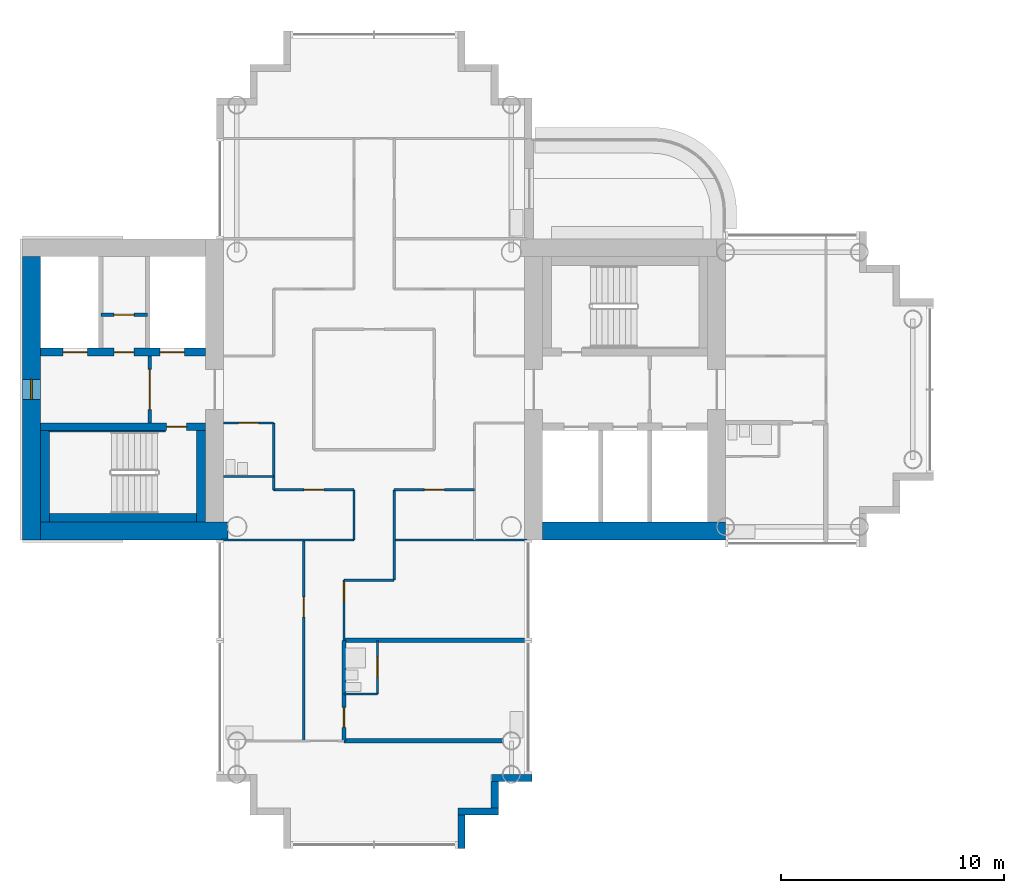
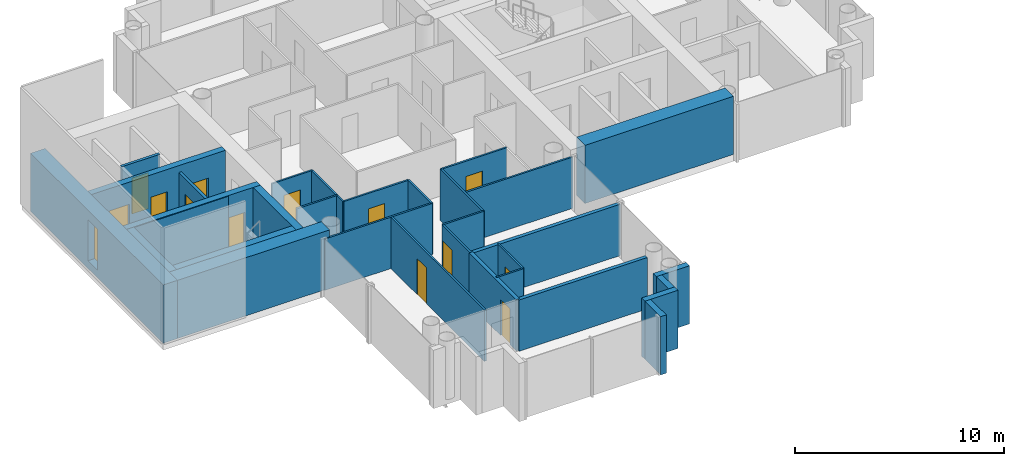
# One storey, part 7 of 19: 32 walls, 13 doors, 1 window, 14 openings.
"""IFC4 building model written with IfcOpenShell, lengths in metres."""

from ifc_helpers import new_model, si_unit, direction, frame, frame_2d, origin, place, context, subcontext, project, spatial, rectangle, extrude, material, layer, layer_set, type_object, element, fill, save


model = new_model("IFC4")

# Units and contexts
model_context = context("Model", 3, precision=1e-05, world=origin(), true_north=direction((0.0, 1.0)))
body_context = subcontext(model_context, "Body", "Model", "MODEL_VIEW")
ifc_project = project(units=[si_unit("LENGTHUNIT", "METRE"), si_unit("AREAUNIT", "SQUARE_METRE"), si_unit("VOLUMEUNIT", "CUBIC_METRE"), si_unit("PLANEANGLEUNIT", "RADIAN"), si_unit("MASSUNIT", "GRAM", prefix="KILO")], contexts=[model_context])

# Site, building, storey
site_placement = place(None, origin())
site = spatial("IfcSite", under=ifc_project, at=site_placement, CompositionType="ELEMENT")
building_placement = place(site_placement, origin())
building = spatial("IfcBuilding", under=site, at=building_placement, Name="Ipe Terrace Towers", CompositionType="ELEMENT")
storey_placement = place(building_placement, frame((0.0, 0.0, 147.300048828125)))
storey = spatial("IfcBuildingStorey", under=building, at=storey_placement, Name="L40", CompositionType="ELEMENT", Elevation=147.300048828125)

# Walls
ifc_material_1 = material(Name="Concrete C40/50 with buff precast cladding", Category="concrete")
ifc_layer_1 = layer(ifc_material_1, 0.320068359375)
ifc_layer_set_1 = layer_set([ifc_layer_1], Name="BUFF CLADDING WALL 320")
wall_type_1 = type_object("IfcWallType", Name="BUFF CLADDING WALL 320", PredefinedType="STANDARD", material=ifc_layer_set_1)
wall_1_placement = place(storey_placement, frame((-32.090087890625, -20.570068359375, -0.300048828125), z_axis=(0.0, 0.0, 1.0), x_axis=(0.0, 1.0, 0.0)))
element("IfcWall", 1, at=wall_1_placement, inside=storey, type_object=wall_type_1, Name="T1-W-L40-09a wall", PredefinedType="STANDARD", context=body_context, shape_type="SweptSolid", body=[
    extrude(rectangle(XDim=1.5, YDim=0.320068359375, at=frame_2d((0.75, 0.0))), origin(), (0.0, 0.0, 1.0), 3.39990234375),
])
wall_2_placement = place(storey_placement, frame((-32.25, -18.909912109375, -0.300048828125), z_axis=(0.0, 0.0, 1.0), x_axis=(1.0, 0.0, 0.0)))
element("IfcWall", 2, at=wall_2_placement, inside=storey, type_object=wall_type_1, Name="T1-W-L40-10a wall", PredefinedType="STANDARD", context=body_context, shape_type="SweptSolid", body=[
    extrude(rectangle(XDim=1.820068359375, YDim=0.320068359375, at=frame_2d((0.91015625, 0.0))), origin(), (0.0, 0.0, 1.0), 3.39990234375),
])
wall_3_placement = place(storey_placement, frame((-30.590087890625, -18.75, -0.300048828125), z_axis=(0.0, 0.0, 1.0), x_axis=(0.0, 1.0, 0.0)))
element("IfcWall", 3, at=wall_3_placement, inside=storey, type_object=wall_type_1, Name="T1-W-L40-11a wall", PredefinedType="STANDARD", context=body_context, shape_type="SweptSolid", body=[
    extrude(rectangle(XDim=1.179931640625, YDim=0.320068359375, at=frame_2d((0.58984375, 0.0))), origin(), (0.0, 0.0, 1.0), 3.39990234375),
])
wall_4_placement = place(storey_placement, frame((-30.75, -17.409912109375, -0.300048828125), z_axis=(0.0, 0.0, 1.0), x_axis=(1.0, 0.0, 0.0)))
element("IfcWall", 4, at=wall_4_placement, inside=storey, type_object=wall_type_1, Name="T1-W-L40-12a wall", PredefinedType="STANDARD", context=body_context, shape_type="SweptSolid", body=[
    extrude(rectangle(XDim=1.820068359375, YDim=0.320068359375, at=frame_2d((0.91015625, 0.0))), origin(), (0.0, 0.0, 1.0), 3.39990234375),
])
ifc_material_2 = material(Name="Gypsum board partition", Category="plasterboard")
ifc_layer_2 = layer(ifc_material_2, 0.10009765625)
ifc_layer_set_2 = layer_set([ifc_layer_2], Name="Gypsum board partition 100 mm")
wall_type_2 = type_object("IfcWallType", Name="Gypsum board partition 100 mm", PredefinedType="PARTITIONING", material=ifc_layer_set_2)
wall_5_placement = place(storey_placement, frame((-40.5, -4.5, 0.0), z_axis=(0.0, 0.0, 1.0), x_axis=(0.0, 1.0, 0.0)))
element("IfcWall", 5, at=wall_5_placement, inside=storey, type_object=wall_type_2, Name="Gypsum board partition T1 L40 W01", PredefinedType="PARTITIONING", context=body_context, shape_type="SweptSolid", body=[
    extrude(rectangle(XDim=3.0, YDim=0.10009765625, at=frame_2d((1.5, 0.0))), origin(), (0.0, 0.0, 1.0), 3.0),
])

# Wall, opening, door
wall_6_placement = place(storey_placement, frame((-39.14990234375, -15.75, 0.0), z_axis=(0.0, 0.0, 1.0), x_axis=(0.0, 1.0, 0.0)))
wall_6 = element("IfcWall", 6, at=wall_6_placement, inside=storey, type_object=wall_type_2, Name="Gypsum board partition T1 L40 W03", PredefinedType="PARTITIONING", context=body_context, shape_type="SweptSolid", body=[
    extrude(rectangle(XDim=9.0, YDim=0.10009765625, at=frame_2d((4.5, 0.0))), origin(), (0.0, 0.0, 1.0), 3.0),
])
opening_1_placement = place(wall_6_placement, frame((5.550048828125, 0.0, 0.0)))
opening_1 = element("IfcOpeningElement", 7, at=opening_1_placement, cuts=wall_6, Name="Opening T1-Z3B-16", PredefinedType="OPENING", context=body_context, shape_type="SweptSolid", body=[
    extrude(rectangle(XDim=0.89990234375, YDim=2.10009765625, at=frame_2d((0.449951171875, 1.050048828125))), frame((0.0, 0.06005859375, 0.0), z_axis=(0.0, -1.0, 0.0), x_axis=(1.0, 0.0, 0.0)), (0.0, 0.0, 1.0), 0.1201171875),
])
ifc_material_3 = material(Name="Timber door leaf", Category="wood")
door_type_1 = type_object("IfcDoorType", Name="Lounge door 900 x 2100", OperationType="NOTDEFINED", PredefinedType="DOOR", material=ifc_material_3)
door_1_placement = place(opening_1_placement, origin())
door_1 = element("IfcDoor", 8, at=door_1_placement, inside=storey, type_object=door_type_1, Name="Lounge door T1-Z3B-16", OperationType="SINGLE_SWING_LEFT", OverallHeight=2.10009765625, OverallWidth=0.89990234375, PredefinedType="DOOR", context=body_context, shape_type="SweptSolid", body=[
    extrude(rectangle(XDim=0.89990234375, YDim=2.10009765625, at=frame_2d((0.449951171875, 1.050048828125))), frame((0.0, 0.02490234375, 0.0), z_axis=(0.0, -1.0, 0.0), x_axis=(1.0, 0.0, 0.0)), (0.0, 0.0, 1.0), 0.050048828125),
])
fill(opening_1, door_1)

wall_7_placement = place(storey_placement, frame((-37.35009765625, -11.25, 0.0), z_axis=(0.0, 0.0, 1.0), x_axis=(0.0, 1.0, 0.0)))
wall_7 = element("IfcWall", 9, at=wall_7_placement, inside=storey, type_object=wall_type_2, Name="Gypsum board partition T1 L40 W05", PredefinedType="PARTITIONING", context=body_context, shape_type="SweptSolid", body=[
    extrude(rectangle(XDim=2.699951171875, YDim=0.10009765625, at=frame_2d((1.35009765625, 0.0))), origin(), (0.0, 0.0, 1.0), 3.0),
])
opening_2_placement = place(wall_7_placement, frame((1.72998046875, 0.0, 0.0)))
opening_2 = element("IfcOpeningElement", 10, at=opening_2_placement, cuts=wall_7, Name="Opening T1-Z3B-13", PredefinedType="OPENING", context=body_context, shape_type="SweptSolid", body=[
    extrude(rectangle(XDim=0.89990234375, YDim=2.10009765625, at=frame_2d((0.449951171875, 1.050048828125))), frame((0.0, 0.06005859375, 0.0), z_axis=(0.0, -1.0, 0.0), x_axis=(1.0, 0.0, 0.0)), (0.0, 0.0, 1.0), 0.1201171875),
])
door_2_placement = place(opening_2_placement, origin())
door_2 = element("IfcDoor", 11, at=door_2_placement, inside=storey, type_object=door_type_1, Name="Lounge door T1-Z3B-13", OperationType="SINGLE_SWING_RIGHT", OverallHeight=2.10009765625, OverallWidth=0.89990234375, PredefinedType="DOOR", context=body_context, shape_type="SweptSolid", body=[
    extrude(rectangle(XDim=0.89990234375, YDim=2.10009765625, at=frame_2d((0.449951171875, 1.050048828125))), frame((0.0, 0.02490234375, 0.0), z_axis=(0.0, -1.0, 0.0), x_axis=(1.0, 0.0, 0.0)), (0.0, 0.0, 1.0), 0.050048828125),
])
fill(opening_2, door_2)

# Wall
wall_8_placement = place(storey_placement, frame((-36.89990234375, -6.75, 0.0), z_axis=(0.0, 0.0, 1.0), x_axis=(0.0, 1.0, 0.0)))
element("IfcWall", 12, at=wall_8_placement, inside=storey, type_object=wall_type_2, Name="Gypsum board partition T1 L40 W07", PredefinedType="PARTITIONING", context=body_context, shape_type="SweptSolid", body=[
    extrude(rectangle(XDim=2.25, YDim=0.10009765625, at=frame_2d((1.125, 0.0))), origin(), (0.0, 0.0, 1.0), 3.0),
])

# Wall, opening, door
wall_9_placement = place(storey_placement, frame((-35.85009765625, -13.64990234375, 0.0), z_axis=(0.0, 0.0, 1.0), x_axis=(0.0, 1.0, 0.0)))
wall_9 = element("IfcWall", 13, at=wall_9_placement, inside=storey, type_object=wall_type_2, Name="Gypsum board partition T1 L40 W09", PredefinedType="PARTITIONING", context=body_context, shape_type="SweptSolid", body=[
    extrude(rectangle(XDim=2.39990234375, YDim=0.10009765625, at=frame_2d((1.199951171875, 0.0))), origin(), (0.0, 0.0, 1.0), 3.0),
])
opening_3_placement = place(wall_9_placement, frame((0.75, 0.0, 0.0)))
opening_3 = element("IfcOpeningElement", 14, at=opening_3_placement, cuts=wall_9, Name="Opening T1-Z3B-15", PredefinedType="OPENING", context=body_context, shape_type="SweptSolid", body=[
    extrude(rectangle(XDim=0.89990234375, YDim=2.10009765625, at=frame_2d((0.449951171875, 1.050048828125))), frame((0.0, 0.06005859375, 0.0), z_axis=(0.0, -1.0, 0.0), x_axis=(1.0, 0.0, 0.0)), (0.0, 0.0, 1.0), 0.1201171875),
])
ifc_material_4 = material(Name="Timber door leaf", Category="wood")
door_type_2 = type_object("IfcDoorType", Name="Bathroom door 900 x 2100", OperationType="NOTDEFINED", PredefinedType="DOOR", material=ifc_material_4)
door_3_placement = place(opening_3_placement, origin())
door_3 = element("IfcDoor", 15, at=door_3_placement, inside=storey, type_object=door_type_2, Name="Bathroom door T1-Z3B-15", OperationType="SINGLE_SWING_LEFT", OverallHeight=2.10009765625, OverallWidth=0.89990234375, PredefinedType="DOOR", context=body_context, shape_type="SweptSolid", body=[
    extrude(rectangle(XDim=0.89990234375, YDim=2.10009765625, at=frame_2d((0.449951171875, 1.050048828125))), frame((0.0, 0.02490234375, 0.0), z_axis=(0.0, -1.0, 0.0), x_axis=(1.0, 0.0, 0.0)), (0.0, 0.0, 1.0), 0.050048828125),
])
fill(opening_3, door_3)

# Walls
wall_10_placement = place(storey_placement, frame((-35.10009765625, -8.550048828125, 0.0), z_axis=(0.0, 0.0, 1.0), x_axis=(0.0, 1.0, 0.0)))
element("IfcWall", 16, at=wall_10_placement, inside=storey, type_object=wall_type_2, Name="Gypsum board partition T1 L40 W10", PredefinedType="PARTITIONING", context=body_context, shape_type="SweptSolid", body=[
    extrude(rectangle(XDim=4.050048828125, YDim=0.10009765625, at=frame_2d((2.02490234375, 0.0))), origin(), (0.0, 0.0, 1.0), 3.0),
])
wall_11_placement = place(storey_placement, frame((-37.35009765625, -13.64990234375, 0.0), z_axis=(0.0, 0.0, 1.0), x_axis=(1.0, 0.0, 0.0)))
element("IfcWall", 17, at=wall_11_placement, inside=storey, type_object=wall_type_2, Name="Gypsum board partition T1 L40 W20", PredefinedType="PARTITIONING", context=body_context, shape_type="SweptSolid", body=[
    extrude(rectangle(XDim=1.5, YDim=0.10009765625, at=frame_2d((0.75, 0.0))), origin(), (0.0, 0.0, 1.0), 3.0),
])
wall_12_placement = place(storey_placement, frame((-37.35009765625, -8.550048828125, 0.0), z_axis=(0.0, 0.0, 1.0), x_axis=(1.0, 0.0, 0.0)))
element("IfcWall", 18, at=wall_12_placement, inside=storey, type_object=wall_type_2, Name="Gypsum board partition T1 L40 W22", PredefinedType="PARTITIONING", context=body_context, shape_type="SweptSolid", body=[
    extrude(rectangle(XDim=2.25, YDim=0.10009765625, at=frame_2d((1.125, 0.0))), origin(), (0.0, 0.0, 1.0), 3.0),
])
for number, where, z_axis, x_axis, name in (
    (19, (-42.85009765625, -6.75, 0.0), (0.0, 0.0, 1.0), (1.0, 0.0, 0.0), "Gypsum board partition T1 L40 W23"),
    (20, (-35.10009765625, -6.75, 0.0), (0.0, 0.0, 1.0), (1.0, 0.0, 0.0), "Gypsum board partition T1 L40 W24"),
):
    element("IfcWall", number, at=place(storey_placement, frame(where, z_axis=z_axis, x_axis=x_axis)), inside=storey, type_object=wall_type_2, Name=name, PredefinedType="PARTITIONING", context=body_context, shape_type="SweptSolid", body=[
        extrude(rectangle(XDim=5.9501953125, YDim=0.10009765625, at=frame_2d((2.97509765625, 0.0))), origin(), (0.0, 0.0, 1.0), 3.0),
    ])

# Wall, opening, door
wall_13_placement = place(storey_placement, frame((-40.5, -4.5, 0.0), z_axis=(0.0, 0.0, 1.0), x_axis=(1.0, 0.0, 0.0)))
wall_13 = element("IfcWall", 21, at=wall_13_placement, inside=storey, type_object=wall_type_2, Name="Gypsum board partition T1 L40 W25", PredefinedType="PARTITIONING", context=body_context, shape_type="SweptSolid", body=[
    extrude(rectangle(XDim=3.60009765625, YDim=0.10009765625, at=frame_2d((1.800048828125, 0.0))), origin(), (0.0, 0.0, 1.0), 3.0),
])
opening_4_placement = place(wall_13_placement, frame((1.35009765625, 0.0, 0.0)))
opening_4 = element("IfcOpeningElement", 22, at=opening_4_placement, cuts=wall_13, Name="Opening T1-Z3B-07", PredefinedType="OPENING", context=body_context, shape_type="SweptSolid", body=[
    extrude(rectangle(XDim=0.89990234375, YDim=2.10009765625, at=frame_2d((0.449951171875, 1.050048828125))), frame((0.0, 0.06005859375, 0.0), z_axis=(0.0, -1.0, 0.0), x_axis=(1.0, 0.0, 0.0)), (0.0, 0.0, 1.0), 0.1201171875),
])
door_4_placement = place(opening_4_placement, origin())
door_4 = element("IfcDoor", 23, at=door_4_placement, inside=storey, type_object=door_type_1, Name="Lounge door T1-Z3B-07", OperationType="SINGLE_SWING_LEFT", OverallHeight=2.10009765625, OverallWidth=0.89990234375, PredefinedType="DOOR", context=body_context, shape_type="SweptSolid", body=[
    extrude(rectangle(XDim=0.89990234375, YDim=2.10009765625, at=frame_2d((0.449951171875, 1.050048828125))), frame((0.0, 0.02490234375, 0.0), z_axis=(0.0, -1.0, 0.0), x_axis=(1.0, 0.0, 0.0)), (0.0, 0.0, 1.0), 0.050048828125),
])
fill(opening_4, door_4)

wall_14_placement = place(storey_placement, frame((-35.10009765625, -4.5, 0.0), z_axis=(0.0, 0.0, 1.0), x_axis=(1.0, 0.0, 0.0)))
wall_14 = element("IfcWall", 24, at=wall_14_placement, inside=storey, type_object=wall_type_2, Name="Gypsum board partition T1 L40 W26", PredefinedType="PARTITIONING", context=body_context, shape_type="SweptSolid", body=[
    extrude(rectangle(XDim=3.60009765625, YDim=0.10009765625, at=frame_2d((1.800048828125, 0.0))), origin(), (0.0, 0.0, 1.0), 3.0),
])
opening_5_placement = place(wall_14_placement, frame((1.35009765625, 0.0, 0.0)))
opening_5 = element("IfcOpeningElement", 25, at=opening_5_placement, cuts=wall_14, Name="Opening T1-Z3B-08", PredefinedType="OPENING", context=body_context, shape_type="SweptSolid", body=[
    extrude(rectangle(XDim=0.89990234375, YDim=2.10009765625, at=frame_2d((0.449951171875, 1.050048828125))), frame((0.0, 0.06005859375, 0.0), z_axis=(0.0, -1.0, 0.0), x_axis=(1.0, 0.0, 0.0)), (0.0, 0.0, 1.0), 0.1201171875),
])
door_5_placement = place(opening_5_placement, origin())
door_5 = element("IfcDoor", 26, at=door_5_placement, inside=storey, type_object=door_type_1, Name="Lounge door T1-Z3B-08", OperationType="SINGLE_SWING_RIGHT", OverallHeight=2.10009765625, OverallWidth=0.89990234375, PredefinedType="DOOR", context=body_context, shape_type="SweptSolid", body=[
    extrude(rectangle(XDim=0.89990234375, YDim=2.10009765625, at=frame_2d((0.449951171875, 1.050048828125))), frame((0.0, 0.02490234375, 0.0), z_axis=(0.0, -1.0, 0.0), x_axis=(1.0, 0.0, 0.0)), (0.0, 0.0, 1.0), 0.050048828125),
])
fill(opening_5, door_5)

# Wall
wall_15_placement = place(storey_placement, frame((-42.75, -3.89990234375, 0.0), z_axis=(0.0, 0.0, 1.0), x_axis=(1.0, 0.0, 0.0)))
element("IfcWall", 27, at=wall_15_placement, inside=storey, type_object=wall_type_2, Name="Gypsum board partition T1 L40 W27", PredefinedType="PARTITIONING", context=body_context, shape_type="SweptSolid", body=[
    extrude(rectangle(XDim=2.25, YDim=0.10009765625, at=frame_2d((1.125, 0.0))), origin(), (0.0, 0.0, 1.0), 3.0),
])

# Wall, opening, door
wall_16_placement = place(storey_placement, frame((-42.75, -1.5, 0.0), z_axis=(0.0, 0.0, 1.0), x_axis=(1.0, 0.0, 0.0)))
wall_16 = element("IfcWall", 28, at=wall_16_placement, inside=storey, type_object=wall_type_2, Name="Gypsum board partition T1 L40 W30", PredefinedType="PARTITIONING", context=body_context, shape_type="SweptSolid", body=[
    extrude(rectangle(XDim=2.25, YDim=0.10009765625, at=frame_2d((1.125, 0.0))), origin(), (0.0, 0.0, 1.0), 3.0),
])
opening_6_placement = place(wall_16_placement, frame((0.675048828125, 0.0, 0.0)))
opening_6 = element("IfcOpeningElement", 29, at=opening_6_placement, cuts=wall_16, Name="Opening T1-Z3B-03", PredefinedType="OPENING", context=body_context, shape_type="SweptSolid", body=[
    extrude(rectangle(XDim=0.89990234375, YDim=2.10009765625, at=frame_2d((0.449951171875, 1.050048828125))), frame((0.0, 0.06005859375, 0.0), z_axis=(0.0, -1.0, 0.0), x_axis=(1.0, 0.0, 0.0)), (0.0, 0.0, 1.0), 0.1201171875),
])
door_6_placement = place(opening_6_placement, origin())
door_6 = element("IfcDoor", 30, at=door_6_placement, inside=storey, type_object=door_type_2, Name="Bathroom door T1-Z3B-03", OperationType="SINGLE_SWING_RIGHT", OverallHeight=2.10009765625, OverallWidth=0.89990234375, PredefinedType="DOOR", context=body_context, shape_type="SweptSolid", body=[
    extrude(rectangle(XDim=0.89990234375, YDim=2.10009765625, at=frame_2d((0.449951171875, 1.050048828125))), frame((0.0, 0.02490234375, 0.0), z_axis=(0.0, -1.0, 0.0), x_axis=(1.0, 0.0, 0.0)), (0.0, 0.0, 1.0), 0.050048828125),
])
fill(opening_6, door_6)

ifc_material_5 = material(Name="Gypsum board partition", Category="plasterboard")
ifc_layer_3 = layer(ifc_material_5, 0.14990234375)
ifc_layer_set_3 = layer_set([ifc_layer_3], Name="Gypsum board partition 150 mm")
wall_type_3 = type_object("IfcWallType", Name="Gypsum board partition 150 mm", PredefinedType="PARTITIONING", material=ifc_layer_set_3)
wall_17_placement = place(storey_placement, frame((-46.050048828125, 1.5, 0.0), z_axis=(0.0, 0.0, 1.0), x_axis=(0.0, -1.0, 0.0)))
wall_17 = element("IfcWall", 31, at=wall_17_placement, inside=storey, type_object=wall_type_3, Name="Gypsum board partition T1 L40 t1c2-lobby-wall", PredefinedType="PARTITIONING", context=body_context, shape_type="SweptSolid", body=[
    extrude(rectangle(XDim=3.0, YDim=0.14990234375, at=frame_2d((1.5, 0.0))), origin(), (0.0, 0.0, 1.0), 3.0),
])
opening_7_placement = place(wall_17_placement, frame((0.60009765625, 0.0, 0.0)))
opening_7 = element("IfcOpeningElement", 32, at=opening_7_placement, cuts=wall_17, Name="Opening T1C2-VD", PredefinedType="OPENING", context=body_context, shape_type="SweptSolid", body=[
    extrude(rectangle(XDim=1.800048828125, YDim=2.10009765625, at=frame_2d((0.89990234375, 1.050048828125))), frame((0.0, 0.0849609375, 0.0), z_axis=(0.0, -1.0, 0.0), x_axis=(1.0, 0.0, 0.0)), (0.0, 0.0, 1.0), 0.169921875),
])
ifc_material_6 = material(Name="Fire-rated timber door leaf", Category="wood")
door_type_3 = type_object("IfcDoorType", Name="Lobby door 1800 x 2100 FD60", OperationType="NOTDEFINED", PredefinedType="DOOR", material=ifc_material_6)
door_7_placement = place(opening_7_placement, origin())
door_7 = element("IfcDoor", 33, at=door_7_placement, inside=storey, type_object=door_type_3, Name="Lobby door T1C2-VD", OperationType="SINGLE_SWING_LEFT", OverallHeight=2.10009765625, OverallWidth=1.800048828125, PredefinedType="DOOR", context=body_context, shape_type="SweptSolid", body=[
    extrude(rectangle(XDim=1.800048828125, YDim=2.10009765625, at=frame_2d((0.89990234375, 1.050048828125))), frame((0.0, 0.02490234375, 0.0), z_axis=(0.0, -1.0, 0.0), x_axis=(1.0, 0.0, 0.0)), (0.0, 0.0, 1.0), 0.050048828125),
])
fill(opening_7, door_7)

wall_18_placement = place(storey_placement, frame((-46.14990234375, 3.35009765625, 0.0), z_axis=(0.0, 0.0, 1.0), x_axis=(-1.0, 0.0, 0.0)))
wall_18 = element("IfcWall", 34, at=wall_18_placement, inside=storey, type_object=wall_type_3, Name="Gypsum board partition T1 L40 t1c2-q-back", PredefinedType="PARTITIONING", context=body_context, shape_type="SweptSolid", body=[
    extrude(rectangle(XDim=2.10009765625, YDim=0.14990234375, at=frame_2d((1.050048828125, 0.0))), origin(), (0.0, 0.0, 1.0), 3.0),
])
opening_8_placement = place(wall_18_placement, frame((0.60009765625, 0.0, 0.0)))
opening_8 = element("IfcOpeningElement", 35, at=opening_8_placement, cuts=wall_18, Name="Opening T1C2-RB-FD30S", PredefinedType="OPENING", context=body_context, shape_type="SweptSolid", body=[
    extrude(rectangle(XDim=0.89990234375, YDim=2.10009765625, at=frame_2d((0.449951171875, 1.050048828125))), frame((0.0, 0.0849609375, 0.0), z_axis=(0.0, -1.0, 0.0), x_axis=(1.0, 0.0, 0.0)), (0.0, 0.0, 1.0), 0.169921875),
])
ifc_material_7 = material(Name="Fire-rated timber door leaf", Category="wood")
door_type_4 = type_object("IfcDoorType", Name="Service door 900 x 2100 FD30S", OperationType="NOTDEFINED", PredefinedType="DOOR", material=ifc_material_7)
door_8_placement = place(opening_8_placement, origin())
door_8 = element("IfcDoor", 36, at=door_8_placement, inside=storey, type_object=door_type_4, Name="Service door T1C2-RB-FD30S", OperationType="SINGLE_SWING_LEFT", OverallHeight=2.10009765625, OverallWidth=0.89990234375, PredefinedType="DOOR", context=body_context, shape_type="SweptSolid", body=[
    extrude(rectangle(XDim=0.89990234375, YDim=2.10009765625, at=frame_2d((0.449951171875, 1.050048828125))), frame((0.0, 0.02490234375, 0.0), z_axis=(0.0, -1.0, 0.0), x_axis=(1.0, 0.0, 0.0)), (0.0, 0.0, 1.0), 0.050048828125),
])
fill(opening_8, door_8)

ifc_material_8 = material(Name="Gypsum board party wall", Category="plasterboard")
ifc_layer_4 = layer(ifc_material_8, 0.199951171875)
ifc_layer_set_4 = layer_set([ifc_layer_4], Name="Gypsum board party wall 200 mm")
wall_type_4 = type_object("IfcWallType", Name="Gypsum board party wall 200 mm", PredefinedType="SOLIDWALL", material=ifc_layer_set_4)
wall_19_placement = place(storey_placement, frame((-37.35009765625, -15.75, 0.0), z_axis=(0.0, 0.0, 1.0), x_axis=(0.0, 1.0, 0.0)))
wall_19 = element("IfcWall", 37, at=wall_19_placement, inside=storey, type_object=wall_type_4, Name="Gypsum board party wall T1 L40 W06", PredefinedType="SOLIDWALL", context=body_context, shape_type="SweptSolid", body=[
    extrude(rectangle(XDim=4.5, YDim=0.199951171875, at=frame_2d((2.25, 0.0))), origin(), (0.0, 0.0, 1.0), 3.0),
])
opening_9_placement = place(wall_19_placement, frame((0.60009765625, 0.0, 0.0)))
opening_9 = element("IfcOpeningElement", 38, at=opening_9_placement, cuts=wall_19, Name="Opening T1-Z3B-14", PredefinedType="OPENING", context=body_context, shape_type="SweptSolid", body=[
    extrude(rectangle(XDim=0.89990234375, YDim=2.10009765625, at=frame_2d((0.449951171875, 1.050048828125))), frame((0.0, 0.10986328125, 0.0), z_axis=(0.0, -1.0, 0.0), x_axis=(1.0, 0.0, 0.0)), (0.0, 0.0, 1.0), 0.219970703125),
])
ifc_material_9 = material(Name="Fire-rated timber door leaf", Category="wood")
door_type_5 = type_object("IfcDoorType", Name="Flat entrance door 900 x 2100 FD30S", OperationType="NOTDEFINED", PredefinedType="DOOR", material=ifc_material_9)
door_9_placement = place(opening_9_placement, origin())
door_9 = element("IfcDoor", 39, at=door_9_placement, inside=storey, type_object=door_type_5, Name="Flat entrance door T1-Z3B-14", OperationType="SINGLE_SWING_LEFT", OverallHeight=2.10009765625, OverallWidth=0.89990234375, PredefinedType="DOOR", context=body_context, shape_type="SweptSolid", body=[
    extrude(rectangle(XDim=0.89990234375, YDim=2.10009765625, at=frame_2d((0.449951171875, 1.050048828125))), frame((0.0, 0.02490234375, 0.0), z_axis=(0.0, -1.0, 0.0), x_axis=(1.0, 0.0, 0.0)), (0.0, 0.0, 1.0), 0.050048828125),
])
fill(opening_9, door_9)

# Walls
wall_20_placement = place(storey_placement, frame((-37.35009765625, -15.75, 0.0), z_axis=(0.0, 0.0, 1.0), x_axis=(1.0, 0.0, 0.0)))
element("IfcWall", 40, at=wall_20_placement, inside=storey, type_object=wall_type_4, Name="Gypsum board party wall T1 L40 W19", PredefinedType="SOLIDWALL", context=body_context, shape_type="SweptSolid", body=[
    extrude(rectangle(XDim=7.10009765625, YDim=0.199951171875, at=frame_2d((3.550048828125, 0.0))), origin(), (0.0, 0.0, 1.0), 3.0),
])
wall_21_placement = place(storey_placement, frame((-37.35009765625, -11.25, 0.0), z_axis=(0.0, 0.0, 1.0), x_axis=(1.0, 0.0, 0.0)))
element("IfcWall", 41, at=wall_21_placement, inside=storey, type_object=wall_type_4, Name="Gypsum board party wall T1 L40 W21", PredefinedType="SOLIDWALL", context=body_context, shape_type="SweptSolid", body=[
    extrude(rectangle(XDim=8.2001953125, YDim=0.199951171875, at=frame_2d((4.10009765625, 0.0))), origin(), (0.0, 0.0, 1.0), 3.0),
])

# Wall, opening, door
ifc_material_10 = material(Name="Concrete C50/60", Category="concrete")
ifc_layer_5 = layer(ifc_material_10, 0.35009765625)
ifc_layer_set_5 = layer_set([ifc_layer_5], Name="RW350 CORE SPINE WALL 350 C50-60")
wall_type_5 = type_object("IfcWallType", Name="RW350 CORE SPINE WALL 350 C50-60", PredefinedType="SHEAR", material=ifc_layer_set_5)
wall_22_placement = place(storey_placement, frame((-50.949951171875, -1.675048828125, 0.0), z_axis=(0.0, 0.0, 1.0), x_axis=(1.0, 0.0, 0.0)))
wall_22 = element("IfcWall", 42, at=wall_22_placement, inside=storey, type_object=wall_type_5, Name="Core spine wall T1-C2-Z3-SW1", PredefinedType="SHEAR", context=body_context, shape_type="SweptSolid", body=[
    extrude(rectangle(XDim=7.39990234375, YDim=0.35009765625, at=frame_2d((3.699951171875, 0.0))), origin(), (0.0, 0.0, 1.0), 3.39990234375),
])
opening_10_placement = place(wall_22_placement, frame((5.64990234375, 0.0, 0.0)))
opening_10 = element("IfcOpeningElement", 43, at=opening_10_placement, cuts=wall_22, Name="Opening T1C2-SD", PredefinedType="OPENING", context=body_context, shape_type="SweptSolid", body=[
    extrude(rectangle(XDim=0.89990234375, YDim=2.10009765625, at=frame_2d((0.449951171875, 1.050048828125))), frame((0.0, 0.18505859375, 0.0), z_axis=(0.0, -1.0, 0.0), x_axis=(1.0, 0.0, 0.0)), (0.0, 0.0, 1.0), 0.3701171875),
])
ifc_material_11 = material(Name="Fire-rated timber door leaf", Category="wood")
door_type_6 = type_object("IfcDoorType", Name="Stair door 900 x 2100 FD60", OperationType="NOTDEFINED", PredefinedType="DOOR", material=ifc_material_11)
door_10_placement = place(opening_10_placement, origin())
door_10 = element("IfcDoor", 44, at=door_10_placement, inside=storey, type_object=door_type_6, Name="Stair door T1C2-SD", OperationType="SINGLE_SWING_RIGHT", OverallHeight=2.10009765625, OverallWidth=0.89990234375, PredefinedType="DOOR", context=body_context, shape_type="SweptSolid", body=[
    extrude(rectangle(XDim=0.89990234375, YDim=2.10009765625, at=frame_2d((0.449951171875, 1.050048828125))), frame((0.0, 0.02490234375, 0.0), z_axis=(0.0, -1.0, 0.0), x_axis=(1.0, 0.0, 0.0)), (0.0, 0.0, 1.0), 0.050048828125),
])
fill(opening_10, door_10)

# Wall, openings, doors
wall_23_placement = place(storey_placement, frame((-50.949951171875, 1.675048828125, 0.0), z_axis=(0.0, 0.0, 1.0), x_axis=(1.0, 0.0, 0.0)))
wall_23 = element("IfcWall", 45, at=wall_23_placement, inside=storey, type_object=wall_type_5, Name="Core spine wall T1-C2-Z3-SW2", PredefinedType="SHEAR", context=body_context, shape_type="SweptSolid", body=[
    extrude(rectangle(XDim=7.39990234375, YDim=0.35009765625, at=frame_2d((3.699951171875, 0.0))), origin(), (0.0, 0.0, 1.0), 3.39990234375),
])
opening_11_placement = place(wall_23_placement, frame((5.35009765625, 0.0, 0.0)))
opening_11 = element("IfcOpeningElement", 46, at=opening_11_placement, cuts=wall_23, Name="Opening T1C2-LD1", PredefinedType="OPENING", context=body_context, shape_type="SweptSolid", body=[
    extrude(rectangle(XDim=1.10009765625, YDim=2.10009765625, at=frame_2d((0.550048828125, 1.050048828125))), frame((0.0, 0.18505859375, 0.0), z_axis=(0.0, -1.0, 0.0), x_axis=(1.0, 0.0, 0.0)), (0.0, 0.0, 1.0), 0.3701171875),
])
opening_12_placement = place(wall_23_placement, frame((1.0, 0.0, 0.0)))
opening_12 = element("IfcOpeningElement", 47, at=opening_12_placement, cuts=wall_23, Name="Opening T1C2-LD3", PredefinedType="OPENING", context=body_context, shape_type="SweptSolid", body=[
    extrude(rectangle(XDim=1.10009765625, YDim=2.10009765625, at=frame_2d((0.550048828125, 1.050048828125))), frame((0.0, 0.18505859375, 0.0), z_axis=(0.0, -1.0, 0.0), x_axis=(1.0, 0.0, 0.0)), (0.0, 0.0, 1.0), 0.3701171875),
])
opening_13_placement = place(wall_23_placement, frame((3.300048828125, 0.0, 0.0)))
opening_13 = element("IfcOpeningElement", 48, at=opening_13_placement, cuts=wall_23, Name="Opening T1C2-R1-NR", PredefinedType="OPENING", context=body_context, shape_type="SweptSolid", body=[
    extrude(rectangle(XDim=0.89990234375, YDim=2.10009765625, at=frame_2d((0.449951171875, 1.050048828125))), frame((0.0, 0.18505859375, 0.0), z_axis=(0.0, -1.0, 0.0), x_axis=(1.0, 0.0, 0.0)), (0.0, 0.0, 1.0), 0.3701171875),
])
ifc_material_12 = material(Name="Fire-rated timber door leaf", Category="wood")
door_type_7 = type_object("IfcDoorType", Name="Sliding door 1100 x 2100 FD60", OperationType="SLIDING_TO_LEFT", PredefinedType="DOOR", material=ifc_material_12)
door_11_placement = place(opening_11_placement, origin())
door_11 = element("IfcDoor", 49, at=door_11_placement, inside=storey, type_object=door_type_7, Name="Sliding door T1C2-LD1", OperationType="SLIDING_TO_LEFT", OverallHeight=2.10009765625, OverallWidth=1.10009765625, PredefinedType="DOOR", context=body_context, shape_type="SweptSolid", body=[
    extrude(rectangle(XDim=1.10009765625, YDim=2.10009765625, at=frame_2d((0.550048828125, 1.050048828125))), frame((0.0, 0.02490234375, 0.0), z_axis=(0.0, -1.0, 0.0), x_axis=(1.0, 0.0, 0.0)), (0.0, 0.0, 1.0), 0.050048828125),
])
fill(opening_11, door_11)
door_12_placement = place(opening_12_placement, origin())
door_12 = element("IfcDoor", 50, at=door_12_placement, inside=storey, type_object=door_type_7, Name="Sliding door T1C2-LD3", OperationType="SLIDING_TO_LEFT", OverallHeight=2.10009765625, OverallWidth=1.10009765625, PredefinedType="DOOR", context=body_context, shape_type="SweptSolid", body=[
    extrude(rectangle(XDim=1.10009765625, YDim=2.10009765625, at=frame_2d((0.550048828125, 1.050048828125))), frame((0.0, 0.02490234375, 0.0), z_axis=(0.0, -1.0, 0.0), x_axis=(1.0, 0.0, 0.0)), (0.0, 0.0, 1.0), 0.050048828125),
])
fill(opening_12, door_12)
ifc_material_13 = material(Name="Timber door leaf", Category="wood")
door_type_8 = type_object("IfcDoorType", Name="Store door 900 x 2100", OperationType="NOTDEFINED", PredefinedType="DOOR", material=ifc_material_13)
door_13_placement = place(opening_13_placement, origin())
door_13 = element("IfcDoor", 51, at=door_13_placement, inside=storey, type_object=door_type_8, Name="Store door T1C2-R1-NR", OperationType="SINGLE_SWING_LEFT", OverallHeight=2.10009765625, OverallWidth=0.89990234375, PredefinedType="DOOR", context=body_context, shape_type="SweptSolid", body=[
    extrude(rectangle(XDim=0.89990234375, YDim=2.10009765625, at=frame_2d((0.449951171875, 1.050048828125))), frame((0.0, 0.02490234375, 0.0), z_axis=(0.0, -1.0, 0.0), x_axis=(1.0, 0.0, 0.0)), (0.0, 0.0, 1.0), 0.050048828125),
])
fill(opening_13, door_13)

# Walls
ifc_material_14 = material(Name="Concrete C50/60", Category="concrete")
ifc_layer_6 = layer(ifc_material_14, 0.39990234375)
ifc_layer_set_6 = layer_set([ifc_layer_6], Name="RW400 CORE INFILL WALL 400 C50-60")
wall_type_6 = type_object("IfcWallType", Name="RW400 CORE INFILL WALL 400 C50-60", PredefinedType="SHEAR", material=ifc_layer_set_6)
wall_24_placement = place(storey_placement, frame((-50.75, -1.85009765625, 0.0), z_axis=(0.0, 0.0, 1.0), x_axis=(0.0, -1.0, 0.0)))
element("IfcWall", 52, at=wall_24_placement, inside=storey, type_object=wall_type_6, Name="Core infill wall T1-C2-far", PredefinedType="SHEAR", context=body_context, shape_type="SweptSolid", body=[
    extrude(rectangle(XDim=4.099853515625, YDim=0.39990234375, at=frame_2d((2.0498046875, 0.0))), origin(), (0.0, 0.0, 1.0), 3.39990234375),
])
wall_25_placement = place(storey_placement, frame((-43.949951171875, -5.75, 0.0), z_axis=(0.0, 0.0, 1.0), x_axis=(-1.0, 0.0, 0.0)))
element("IfcWall", 53, at=wall_25_placement, inside=storey, type_object=wall_type_6, Name="Core infill wall T1-C2-back", PredefinedType="SHEAR", context=body_context, shape_type="SweptSolid", body=[
    extrude(rectangle(XDim=6.60009765625, YDim=0.39990234375, at=frame_2d((3.300048828125, 0.0))), origin(), (0.0, 0.0, 1.0), 3.39990234375),
])
wall_26_placement = place(storey_placement, frame((-43.75, -1.85009765625, 0.0), z_axis=(0.0, 0.0, 1.0), x_axis=(0.0, -1.0, 0.0)))
element("IfcWall", 54, at=wall_26_placement, inside=storey, type_object=wall_type_6, Name="Core infill wall T1-C2-near", PredefinedType="SHEAR", context=body_context, shape_type="SweptSolid", body=[
    extrude(rectangle(XDim=4.099853515625, YDim=0.39990234375, at=frame_2d((2.0498046875, 0.0))), origin(), (0.0, 0.0, 1.0), 3.39990234375),
])
ifc_material_15 = material(Name="Concrete C50/60", Category="concrete")
ifc_layer_7 = layer(ifc_material_15, 0.050048828125)
ifc_layer_set_7 = layer_set([ifc_layer_7], Name="RW50 CORE INFILL WALL 50 C50-60")
wall_type_7 = type_object("IfcWallType", Name="RW50 CORE INFILL WALL 50 C50-60", PredefinedType="SHEAR", material=ifc_layer_set_7)
wall_27_placement = place(storey_placement, frame((-45.35009765625, -1.875, 0.0), z_axis=(0.0, 0.0, 1.0), x_axis=(-1.0, 0.0, 0.0)))
element("IfcWall", 55, at=wall_27_placement, inside=storey, type_object=wall_type_7, Name="Core infill wall T1-C2-spine-b", PredefinedType="SHEAR", context=body_context, shape_type="SweptSolid", body=[
    extrude(rectangle(XDim=5.199951171875, YDim=0.050048828125, at=frame_2d((2.60009765625, 0.0))), origin(), (0.0, 0.0, 1.0), 3.39990234375),
])
ifc_material_16 = material(Name="Concrete C50/60", Category="concrete")
ifc_layer_8 = layer(ifc_material_16, 0.800048828125)
ifc_layer_set_8 = layer_set([ifc_layer_8], Name="RW800 CORE WALL 800 C50-60")
wall_type_8 = type_object("IfcWallType", Name="RW800 CORE WALL 800 C50-60", PredefinedType="SHEAR", material=ifc_layer_set_8)
wall_28_placement = place(storey_placement, frame((-28.449951171875, -6.35009765625, 0.0), z_axis=(0.0, 0.0, 1.0), x_axis=(1.0, 0.0, 0.0)))
element("IfcWall", 56, at=wall_28_placement, inside=storey, type_object=wall_type_8, Name="Core wall T1-C1-Z3-W01", PredefinedType="SHEAR", context=body_context, shape_type="SweptSolid", body=[
    extrude(rectangle(XDim=8.199951171875, YDim=0.800048828125, at=frame_2d((4.10009765625, 0.0))), origin(), (0.0, 0.0, 1.0), 3.39990234375),
])
wall_29_placement = place(storey_placement, frame((-50.949951171875, -6.35009765625, 0.0), z_axis=(0.0, 0.0, 1.0), x_axis=(1.0, 0.0, 0.0)))
element("IfcWall", 57, at=wall_29_placement, inside=storey, type_object=wall_type_8, Name="Core wall T1-C2-Z3-W01", PredefinedType="SHEAR", context=body_context, shape_type="SweptSolid", body=[
    extrude(rectangle(XDim=8.39794921875, YDim=0.800048828125, at=frame_2d((4.198974609375, 0.0))), origin(), (0.0, 0.0, 1.0), 3.39990234375),
])

# Wall, opening, window
wall_30_placement = place(storey_placement, frame((-51.35009765625, 5.949951171875, 0.0), z_axis=(0.0, 0.0, 1.0), x_axis=(0.0, -1.0, 0.0)))
wall_30 = element("IfcWall", 58, at=wall_30_placement, inside=storey, type_object=wall_type_8, Name="Core wall T1-C2-Z3-W04", PredefinedType="SHEAR", context=body_context, shape_type="SweptSolid", body=[
    extrude(rectangle(XDim=12.699951171875, YDim=0.800048828125, at=frame_2d((6.35009765625, 0.0))), origin(), (0.0, 0.0, 1.0), 3.39990234375),
])
opening_14_placement = place(wall_30_placement, frame((5.5, 0.0, 0.449951171875)))
opening_14 = element("IfcOpeningElement", 59, at=opening_14_placement, cuts=wall_30, Name="Opening T1-C2-W-01-L40", PredefinedType="OPENING", context=body_context, shape_type="SweptSolid", body=[
    extrude(rectangle(XDim=0.89990234375, YDim=2.39990234375, at=frame_2d((0.449951171875, 1.199951171875))), frame((0.0, 0.41015625, 0.0), z_axis=(0.0, -1.0, 0.0), x_axis=(1.0, 0.0, 0.0)), (0.0, 0.0, 1.0), 0.820068359375),
])
ifc_material_17 = material(Name="Fire-resistant glazing EI 60", Category="glass")
window_type = type_object("IfcWindowType", Name="CORRIDOR END SLOT WINDOW 900 x 2400 EI 60", PartitioningType="SINGLE_PANEL", PredefinedType="WINDOW", material=ifc_material_17)
window_placement = place(opening_14_placement, origin())
window = element("IfcWindow", 60, at=window_placement, inside=storey, type_object=window_type, Name="W-01 window", OverallHeight=2.39990234375, OverallWidth=0.89990234375, PartitioningType="SINGLE_PANEL", PredefinedType="WINDOW", context=body_context, shape_type="SweptSolid", body=[
    extrude(rectangle(XDim=0.89990234375, YDim=2.39990234375, at=frame_2d((0.449951171875, 1.199951171875))), frame((0.0, 0.030029296875, 0.0), z_axis=(0.0, -1.0, 0.0), x_axis=(1.0, 0.0, 0.0)), (0.0, 0.0, 1.0), 0.06005859375),
])
fill(opening_14, window)

save(model, "model.ifc")
